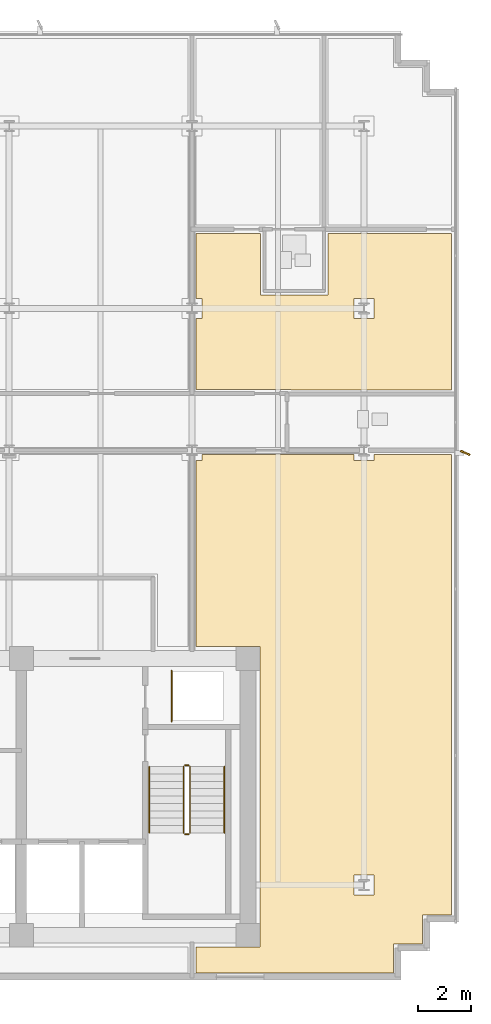
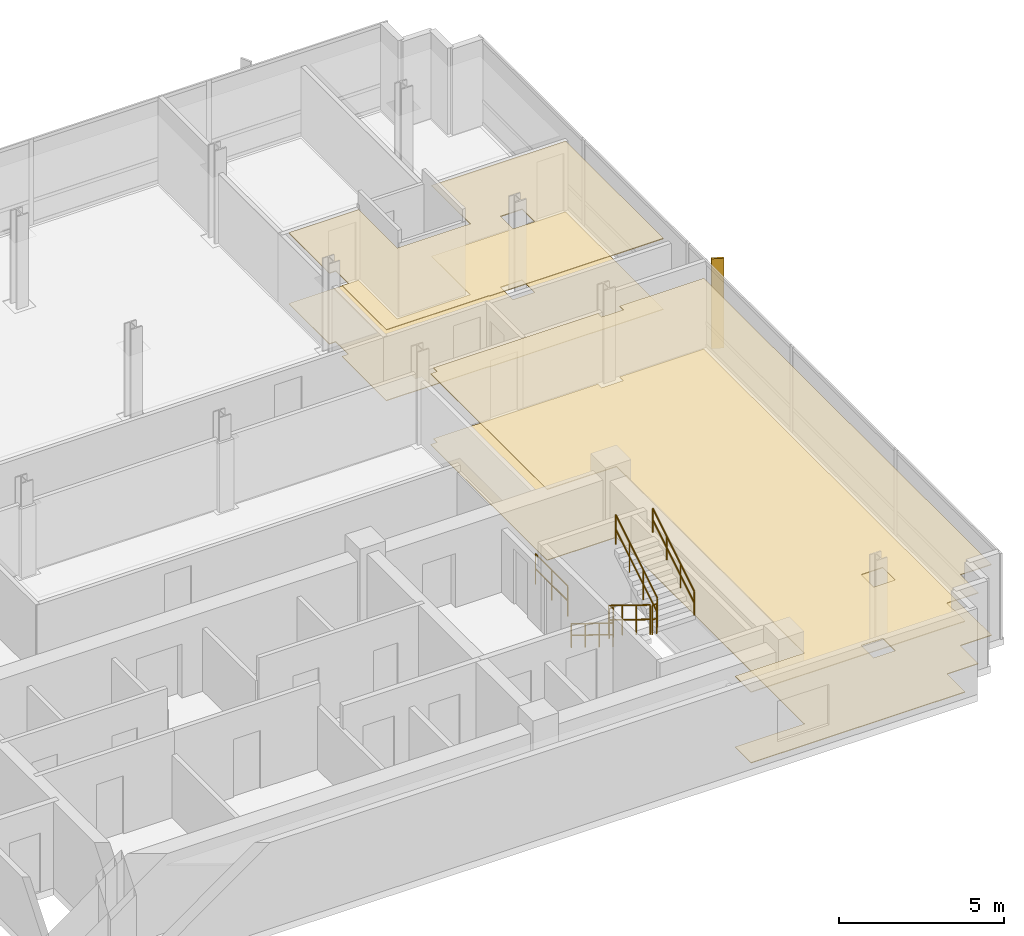
# One storey, part 16 of 18: 7 railings, 4 coverings, 1 shading device.
"""IFC4 building model written with IfcOpenShell, lengths in metres."""

from ifc_helpers import new_model, si_unit, direction, frame, origin, origin_2d, place, context, subcontext, project, spatial, polyline, rectangle, circle, outline, extrude, material, layer, layer_set, type_object, element, save


model = new_model("IFC4")

# Units and contexts
model_context = context("Model", 3, precision=1e-05, world=origin(), true_north=direction((0.0, 1.0)))
body_context = subcontext(model_context, "Body", "Model", "MODEL_VIEW")
ifc_project = project(units=[si_unit("LENGTHUNIT", "METRE"), si_unit("AREAUNIT", "SQUARE_METRE"), si_unit("VOLUMEUNIT", "CUBIC_METRE"), si_unit("PLANEANGLEUNIT", "RADIAN"), si_unit("MASSUNIT", "GRAM", prefix="KILO")], contexts=[model_context])

# Site, building, storey
site_placement = place(None, origin())
site = spatial("IfcSite", under=ifc_project, at=site_placement, CompositionType="ELEMENT")
building_placement = place(site_placement, origin())
building = spatial("IfcBuilding", under=site, at=building_placement, Name="Solmavex Isthmus Hotel", CompositionType="ELEMENT")
storey_placement = place(building_placement, frame((0.0, 0.0, 283.35009765625)))
storey = spatial("IfcBuildingStorey", under=building, at=storey_placement, Name="L77", CompositionType="ELEMENT", Elevation=283.35009765625)

# Coverings
ifc_material_1 = material(Name="Gypsum plasterboard lining", Category="gypsum")
ifc_layer_1 = layer(ifc_material_1, 0.030029296875)
ifc_layer_set_1 = layer_set([ifc_layer_1], Name="Gypsum plasterboard lining")
covering_type_1 = type_object("IfcCoveringType", Name="COV-CEIL-GYP", PredefinedType="CEILING", material=ifc_layer_set_1)
covering_1_placement = place(storey_placement, frame((0.0, 0.0, 2.619873046875)))
element("IfcCovering", 1, at=covering_1_placement, inside=storey, type_object=covering_type_1, Name="Suspended Acoustic Ceiling L77-SH04-LV", PredefinedType="CEILING", context=body_context, shape_type="SweptSolid", body=[
    extrude(outline(polyline([(14.027099609375, 11.16796875), (14.251953125, 11.16796875), (14.251953125, 10.407958984375), (14.027099609375, 10.407958984375), (14.027099609375, 7.705078125), (17.626953125, 7.705078125), (17.626953125, 7.68505859375), (23.72509765625, 7.68505859375), (23.72509765625, 13.633056640625), (19.031005859375, 13.633056640625), (19.031005859375, 11.282958984375), (16.470947265625, 11.282958984375), (16.470947265625, 13.633056640625), (14.027099609375, 13.633056640625), (14.027099609375, 11.16796875)]), holes=[polyline([(20.02001953125, 10.407958984375), (20.02001953125, 11.16796875), (20.780029296875, 11.16796875), (20.780029296875, 10.407958984375), (20.02001953125, 10.407958984375)])]), origin(), (0.0, 0.0, 1.0), 0.030029296875),
])
covering_2_placement = place(storey_placement, frame((0.0, 0.0, 2.619873046875)))
element("IfcCovering", 2, at=covering_2_placement, inside=storey, type_object=covering_type_1, Name="Suspended Acoustic Ceiling L77-FL12", PredefinedType="CEILING", context=body_context, shape_type="SweptSolid", body=[
    extrude(outline(polyline([(14.251953125, 5.2451171875), (14.251953125, 5.02001953125), (14.027099609375, 5.02001953125), (14.027099609375, -2.044921875), (16.455078125, -2.044921875), (16.455078125, -13.455078125), (14.027099609375, -13.455078125), (14.027099609375, -14.425048828125), (21.52490234375, -14.425048828125), (21.52490234375, -13.324951171875), (22.625, -13.324951171875), (22.625, -12.22509765625), (23.72509765625, -12.22509765625), (23.72509765625, 5.2451171875), (20.780029296875, 5.2451171875), (20.780029296875, 5.02001953125), (20.02001953125, 5.02001953125), (20.02001953125, 5.2451171875), (14.251953125, 5.2451171875)]), holes=[polyline([(20.02001953125, -11.47998046875), (20.02001953125, -10.719970703125), (20.780029296875, -10.719970703125), (20.780029296875, -11.47998046875), (20.02001953125, -11.47998046875)])]), origin(), (0.0, 0.0, 1.0), 0.030029296875),
])
ifc_material_2 = material(Name="Travertine natural stone", Category="masonry")
ifc_layer_2 = layer(ifc_material_2, 0.02490234375)
ifc_layer_set_2 = layer_set([ifc_layer_2], Name="Travertine natural stone")
covering_type_2 = type_object("IfcCoveringType", Name="COV-FLOR-STN", PredefinedType="FLOORING", material=ifc_layer_set_2)
covering_3_placement = place(storey_placement, origin())
element("IfcCovering", 3, at=covering_3_placement, inside=storey, type_object=covering_type_2, Name="Stone and Timber Floor Finish L77-SH04-LV", PredefinedType="FLOORING", context=body_context, shape_type="SweptSolid", body=[
    extrude(outline(polyline([(14.027099609375, 11.16796875), (14.251953125, 11.16796875), (14.251953125, 10.407958984375), (14.027099609375, 10.407958984375), (14.027099609375, 7.705078125), (17.626953125, 7.705078125), (17.626953125, 7.68505859375), (23.72509765625, 7.68505859375), (23.72509765625, 13.633056640625), (19.031005859375, 13.633056640625), (19.031005859375, 11.282958984375), (16.470947265625, 11.282958984375), (16.470947265625, 13.633056640625), (14.027099609375, 13.633056640625), (14.027099609375, 11.16796875)]), holes=[polyline([(20.02001953125, 10.407958984375), (20.02001953125, 11.16796875), (20.780029296875, 11.16796875), (20.780029296875, 10.407958984375), (20.02001953125, 10.407958984375)])]), origin(), (0.0, 0.0, 1.0), 0.02490234375),
])
covering_4_placement = place(storey_placement, origin())
element("IfcCovering", 4, at=covering_4_placement, inside=storey, type_object=covering_type_2, Name="Stone and Timber Floor Finish L77-FL12", PredefinedType="FLOORING", context=body_context, shape_type="SweptSolid", body=[
    extrude(outline(polyline([(14.251953125, 5.2451171875), (14.251953125, 5.02001953125), (14.027099609375, 5.02001953125), (14.027099609375, -2.044921875), (16.455078125, -2.044921875), (16.455078125, -13.455078125), (14.027099609375, -13.455078125), (14.027099609375, -14.425048828125), (21.52490234375, -14.425048828125), (21.52490234375, -13.324951171875), (22.625, -13.324951171875), (22.625, -12.22509765625), (23.72509765625, -12.22509765625), (23.72509765625, 5.2451171875), (20.780029296875, 5.2451171875), (20.780029296875, 5.02001953125), (20.02001953125, 5.02001953125), (20.02001953125, 5.2451171875), (14.251953125, 5.2451171875)]), holes=[polyline([(20.02001953125, -11.47998046875), (20.02001953125, -10.719970703125), (20.780029296875, -10.719970703125), (20.780029296875, -11.47998046875), (20.02001953125, -11.47998046875)])]), origin(), (0.0, 0.0, 1.0), 0.02490234375),
])

# Railings
ifc_material_3 = material(Name="Clear low-E laminated glass", Category="glass")
ifc_layer_3 = layer(ifc_material_3, 0.080078125)
ifc_layer_set_3 = layer_set([ifc_layer_3], Name="Clear low-E laminated glass")
railing_type_1 = type_object("IfcRailingType", Name="RAIL-ATRIUM-1120", PredefinedType="BALUSTRADE", material=ifc_layer_set_3)
railing_1_placement = place(storey_placement, frame((13.10009765625, -4.89990234375, 0.0)))
element("IfcRailing", 5, at=railing_1_placement, inside=storey, type_object=railing_type_1, Name="Guardrail Balustrade L77-RSE-01", PredefinedType="BALUSTRADE", context=body_context, shape_type="SweptSolid", body=[
    extrude(circle(Radius=0.02392578125, at=origin_2d()), frame((0.0, 0.0, 1.1259765625), z_axis=(0.0, 1.0, 0.0), x_axis=(-1.0, 0.0, 0.0)), (0.0, 0.0, 1.0), 1.949951171875),
    extrude(circle(Radius=0.02392578125, at=origin_2d()), frame((0.0, 0.0, 0.574951171875), z_axis=(0.0, 1.0, 0.0), x_axis=(-1.0, 0.0, 0.0)), (0.0, 0.0, 1.0), 1.949951171875),
    extrude(circle(Radius=0.02099609375, at=origin_2d()), origin(), (0.0, 0.0, 1.0), 1.101806640625),
    extrude(circle(Radius=0.02099609375, at=origin_2d()), frame((0.0, 0.97509765625, 0.0)), (0.0, 0.0, 1.0), 1.101806640625),
    extrude(circle(Radius=0.02099609375, at=origin_2d()), frame((0.0, 1.949951171875, 0.0)), (0.0, 0.0, 1.0), 1.101806640625),
])
ifc_material_4 = material(Name="Stainless steel 316", Category="steel")
ifc_layer_4 = layer(ifc_material_4, 0.06005859375)
ifc_layer_set_4 = layer_set([ifc_layer_4], Name="Stainless steel 316")
railing_type_2 = type_object("IfcRailingType", Name="RAIL-STAIR-GD", PredefinedType="GUARDRAIL", material=ifc_layer_set_4)
railing_2_placement = place(storey_placement, frame((13.550048828125, -6.60009765625, 0.17236328125)))
element("IfcRailing", 6, at=railing_2_placement, inside=storey, type_object=railing_type_2, Name="L77 ST-2 stair guard 1", PredefinedType="GUARDRAIL", context=body_context, shape_type="SweptSolid", body=[
    extrude(circle(Radius=0.02392578125, at=origin_2d()), frame((0.0, 0.0, 1.09619140625), z_axis=(0.0, -0.851400495292, 0.524516154772), x_axis=(1.0, 0.0, 0.0)), (0.0, 0.0, 1.0), 2.9599609375),
    extrude(circle(Radius=0.02392578125, at=origin_2d()), frame((0.0, 0.0, 0.56005859375), z_axis=(0.0, -0.851400495292, 0.524516154772), x_axis=(1.0, 0.0, 0.0)), (0.0, 0.0, 1.0), 2.9599609375),
    extrude(circle(Radius=0.02099609375, at=origin_2d()), origin(), (0.0, 0.0, 1.0), 1.072021484375),
    extrude(circle(Radius=0.02099609375, at=origin_2d()), frame((0.0, -0.840087890625, 0.517578125)), (0.0, 0.0, 1.0), 1.072021484375),
    extrude(circle(Radius=0.02099609375, at=origin_2d()), frame((0.0, -1.679931640625, 1.034912109375)), (0.0, 0.0, 1.0), 1.072021484375),
    extrude(circle(Radius=0.02099609375, at=origin_2d()), frame((0.0, -2.52001953125, 1.552490234375)), (0.0, 0.0, 1.0), 1.072021484375),
])
railing_3_placement = place(storey_placement, frame((13.60009765625, -9.169921875, 1.724853515625)))
element("IfcRailing", 7, at=railing_3_placement, inside=storey, type_object=railing_type_2, Name="L77 ST-2 stair guard 2", PredefinedType="GUARDRAIL", context=body_context, shape_type="SweptSolid", body=[
    extrude(circle(Radius=0.02392578125, at=origin_2d()), frame((0.0, 0.0, 1.09619140625), z_axis=(1.0, 0.0, 0.0), x_axis=(0.0, 1.0, 0.0)), (0.0, 0.0, 1.0), 0.14990234375),
    extrude(circle(Radius=0.02392578125, at=origin_2d()), frame((0.0, 0.0, 0.56005859375), z_axis=(1.0, 0.0, 0.0), x_axis=(0.0, 1.0, 0.0)), (0.0, 0.0, 1.0), 0.14990234375),
    extrude(circle(Radius=0.02099609375, at=origin_2d()), origin(), (0.0, 0.0, 1.0), 1.072021484375),
    extrude(circle(Radius=0.02099609375, at=origin_2d()), frame((0.14990234375, 0.0, 0.0)), (0.0, 0.0, 1.0), 1.072021484375),
])
railing_4_placement = place(storey_placement, frame((13.800048828125, -9.1201171875, 1.8974609375)))
element("IfcRailing", 8, at=railing_4_placement, inside=storey, type_object=railing_type_2, Name="L77 ST-2 stair guard 3", PredefinedType="GUARDRAIL", context=body_context, shape_type="SweptSolid", body=[
    extrude(circle(Radius=0.02392578125, at=origin_2d()), frame((0.0, 0.0, 1.09619140625), z_axis=(0.0, 0.851400495292, 0.524516154772), x_axis=(-1.0, 0.0, 0.0)), (0.0, 0.0, 1.0), 2.9599609375),
    extrude(circle(Radius=0.02392578125, at=origin_2d()), frame((0.0, 0.0, 0.56005859375), z_axis=(0.0, 0.851400495292, 0.524516154772), x_axis=(-1.0, 0.0, 0.0)), (0.0, 0.0, 1.0), 2.9599609375),
    extrude(circle(Radius=0.02099609375, at=origin_2d()), origin(), (0.0, 0.0, 1.0), 1.072021484375),
    extrude(circle(Radius=0.02099609375, at=origin_2d()), frame((0.0, 0.840087890625, 0.517578125)), (0.0, 0.0, 1.0), 1.072021484375),
    extrude(circle(Radius=0.02099609375, at=origin_2d()), frame((0.0, 1.679931640625, 1.034912109375)), (0.0, 0.0, 1.0), 1.072021484375),
    extrude(circle(Radius=0.02099609375, at=origin_2d()), frame((0.0, 2.52001953125, 1.552490234375)), (0.0, 0.0, 1.0), 1.072021484375),
])
railing_5_placement = place(storey_placement, frame((13.60009765625, -6.550048828125, 0.0)))
element("IfcRailing", 9, at=railing_5_placement, inside=storey, type_object=railing_type_2, Name="L77 ST-2 stair guard 4", PredefinedType="GUARDRAIL", context=body_context, shape_type="SweptSolid", body=[
    extrude(circle(Radius=0.02392578125, at=origin_2d()), frame((0.0, 0.0, 1.09619140625), z_axis=(1.0, 0.0, 0.0), x_axis=(0.0, 1.0, 0.0)), (0.0, 0.0, 1.0), 0.14990234375),
    extrude(circle(Radius=0.02392578125, at=origin_2d()), frame((0.0, 0.0, 0.56005859375), z_axis=(1.0, 0.0, 0.0), x_axis=(0.0, 1.0, 0.0)), (0.0, 0.0, 1.0), 0.14990234375),
    extrude(circle(Radius=0.02099609375, at=origin_2d()), origin(), (0.0, 0.0, 1.0), 1.072021484375),
    extrude(circle(Radius=0.02099609375, at=origin_2d()), frame((0.14990234375, 0.0, 0.0)), (0.0, 0.0, 1.0), 1.072021484375),
])
ifc_layer_5 = layer(ifc_material_4, 0.050048828125)
ifc_layer_set_5 = layer_set([ifc_layer_5], Name="Stainless steel 316")
railing_type_3 = type_object("IfcRailingType", Name="RAIL-STAIR-HR", PredefinedType="HANDRAIL", material=ifc_layer_set_5)
railing_6_placement = place(storey_placement, frame((12.25, -6.60009765625, 0.17236328125)))
element("IfcRailing", 10, at=railing_6_placement, inside=storey, type_object=railing_type_3, Name="L77 ST-2 stair handrail 1", PredefinedType="HANDRAIL", context=body_context, shape_type="SweptSolid", body=[
    extrude(circle(Radius=0.02392578125, at=origin_2d()), frame((0.0, 0.0, 0.8759765625), z_axis=(0.0, -0.851400495292, 0.524516154772), x_axis=(1.0, 0.0, 0.0)), (0.0, 0.0, 1.0), 2.9599609375),
    extrude(circle(Radius=0.02392578125, at=origin_2d()), frame((0.0, 0.0, 0.449951171875), z_axis=(0.0, -0.851400495292, 0.524516154772), x_axis=(1.0, 0.0, 0.0)), (0.0, 0.0, 1.0), 2.9599609375),
    extrude(circle(Radius=0.02099609375, at=origin_2d()), origin(), (0.0, 0.0, 1.0), 0.851806640625),
    extrude(circle(Radius=0.02099609375, at=origin_2d()), frame((0.0, -0.840087890625, 0.517578125)), (0.0, 0.0, 1.0), 0.851806640625),
    extrude(circle(Radius=0.02099609375, at=origin_2d()), frame((0.0, -1.679931640625, 1.034912109375)), (0.0, 0.0, 1.0), 0.851806640625),
    extrude(circle(Radius=0.02099609375, at=origin_2d()), frame((0.0, -2.52001953125, 1.552490234375)), (0.0, 0.0, 1.0), 0.851806640625),
])
railing_7_placement = place(storey_placement, frame((15.10009765625, -9.1201171875, 1.8974609375)))
element("IfcRailing", 11, at=railing_7_placement, inside=storey, type_object=railing_type_3, Name="L77 ST-2 stair handrail 2", PredefinedType="HANDRAIL", context=body_context, shape_type="SweptSolid", body=[
    extrude(circle(Radius=0.02392578125, at=origin_2d()), frame((0.0, 0.0, 0.8759765625), z_axis=(0.0, 0.851400495292, 0.524516154772), x_axis=(-1.0, 0.0, 0.0)), (0.0, 0.0, 1.0), 2.9599609375),
    extrude(circle(Radius=0.02392578125, at=origin_2d()), frame((0.0, 0.0, 0.449951171875), z_axis=(0.0, 0.851400495292, 0.524516154772), x_axis=(-1.0, 0.0, 0.0)), (0.0, 0.0, 1.0), 2.9599609375),
    extrude(circle(Radius=0.02099609375, at=origin_2d()), origin(), (0.0, 0.0, 1.0), 0.851806640625),
    extrude(circle(Radius=0.02099609375, at=origin_2d()), frame((0.0, 0.840087890625, 0.517578125)), (0.0, 0.0, 1.0), 0.851806640625),
    extrude(circle(Radius=0.02099609375, at=origin_2d()), frame((0.0, 1.679931640625, 1.034912109375)), (0.0, 0.0, 1.0), 0.851806640625),
    extrude(circle(Radius=0.02099609375, at=origin_2d()), frame((0.0, 2.52001953125, 1.552490234375)), (0.0, 0.0, 1.0), 0.851806640625),
])

# Shading device
ifc_material_5 = material(Name="Aluminium alloy 6063-T6", Category="aluminium")
shading_device_type = type_object("IfcShadingDeviceType", Name="SHD-FIN-CHAMP", PredefinedType="USERDEFINED", material=ifc_material_5)
shading_device_placement = place(storey_placement, frame((24.239990234375, 5.300048828125, -0.14013671875), z_axis=(0.0, 0.0, 1.0), x_axis=(0.913545457643, -0.406736643076, 0.0)))
element("IfcShadingDevice", 12, at=shading_device_placement, inside=storey, type_object=shading_device_type, Name="Anodised Aluminium Solar Fin L77-E1", ObjectType="SOLAR_FIN", PredefinedType="USERDEFINED", context=body_context, shape_type="SweptSolid", body=[
    extrude(rectangle(XDim=0.3798828125, YDim=0.070068359375, at=origin_2d()), origin(), (0.0, 0.0, 1.0), 3.330078125),
])

save(model, "model.ifc")
